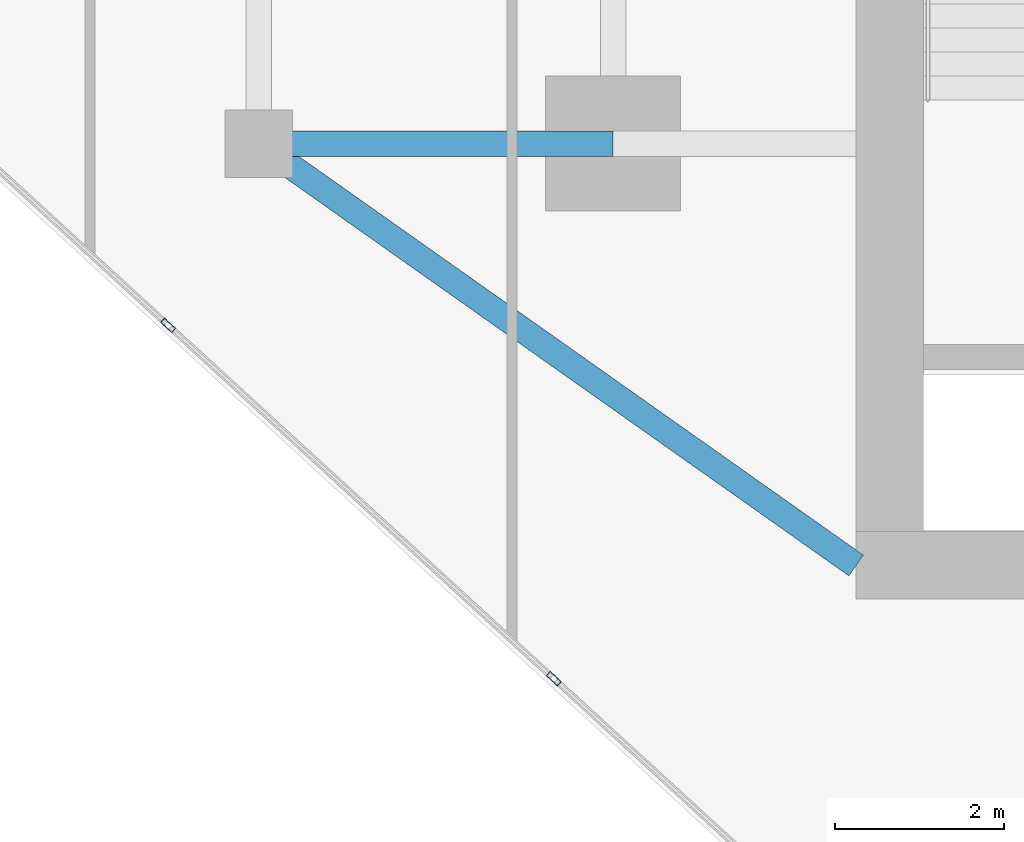
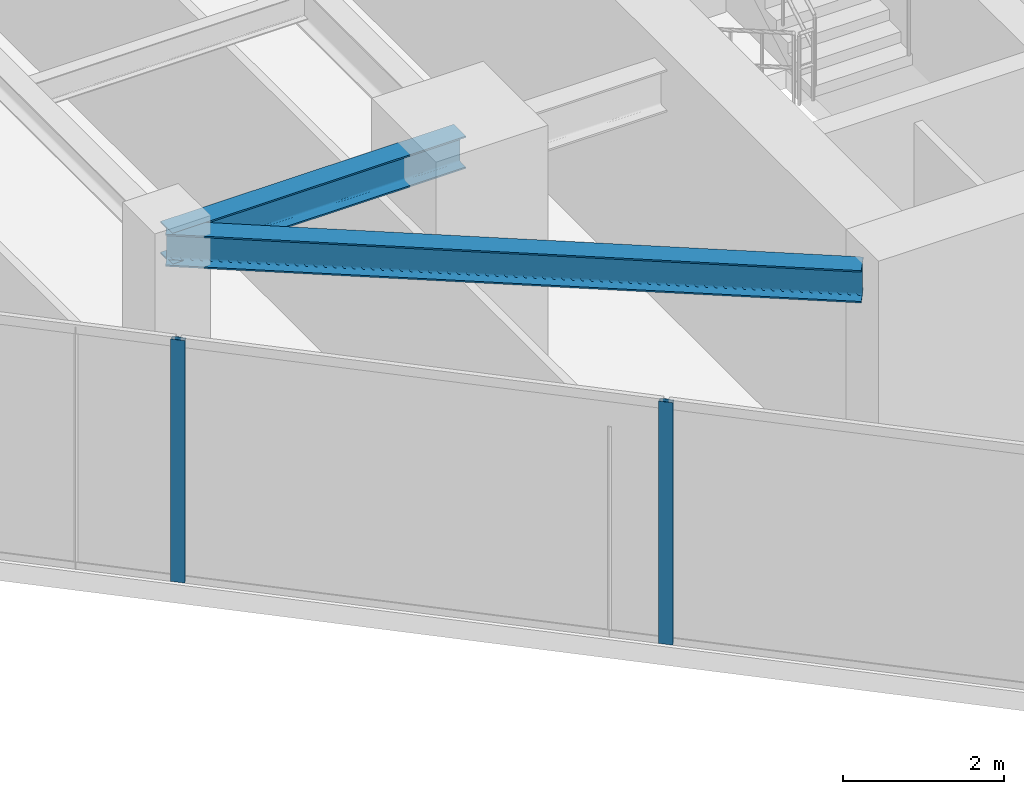
# One storey, part 2 of 26: 2 beams, 2 members, 1 element without a shape of its own.
"""IFC4 building model written with IfcOpenShell, lengths in metres."""

from ifc_helpers import new_model, si_unit, direction, frame, origin, origin_2d, place, context, subcontext, project, spatial, hollow_rectangle, i_section, extrude, source, transform, mapped, material, material_profile, profile_set, type_object, type_shapes, element, aggregate, save


model = new_model("IFC4")

# Units and contexts
model_context = context("Model", 3, precision=1e-05, world=origin(), true_north=direction((0.0, 1.0)))
body_context = subcontext(model_context, "Body", "Model", "MODEL_VIEW")
ifc_project = project(units=[si_unit("LENGTHUNIT", "METRE"), si_unit("AREAUNIT", "SQUARE_METRE"), si_unit("VOLUMEUNIT", "CUBIC_METRE"), si_unit("PLANEANGLEUNIT", "RADIAN"), si_unit("MASSUNIT", "GRAM", prefix="KILO")], contexts=[model_context])

# Site, building, storey
site_placement = place(None, origin())
site = spatial("IfcSite", under=ifc_project, at=site_placement, CompositionType="ELEMENT")
building_placement = place(site_placement, origin())
building = spatial("IfcBuilding", under=site, at=building_placement, Name="Krantzveldt Concourse Tower", CompositionType="ELEMENT")
storey_placement = place(building_placement, frame((0.0, 0.0, 219.14990234375)))
storey = spatial("IfcBuildingStorey", under=building, at=storey_placement, Name="L53", CompositionType="ELEMENT", Elevation=219.14990234375)

# Beams
ifc_material_1 = material(Name="Steel S355JR", Category="steel")
ifc_material_profile_1 = material_profile(ifc_material_1, i_section(OverallWidth=0.300048828125, OverallDepth=0.489990234375, WebThickness=0.011962890625, FlangeThickness=0.02294921875, FilletRadius=0.027099609375, at=origin_2d()), Name="Steel S355JR", Category="steel")
ifc_profile_set_1 = profile_set([ifc_material_profile_1], Name="Steel S355JR - HEA 500")
beam_type = type_object("IfcBeamType", Name="BM-B-HEA500", PredefinedType="BEAM", material=ifc_profile_set_1)
shared_shape_1 = source(origin(), body_context, "Body", "SweptSolid", [
    extrude(i_section(OverallWidth=0.300048828125, OverallDepth=0.489990234375, WebThickness=0.011962890625, FlangeThickness=0.02294921875, FilletRadius=0.027099609375, at=origin_2d()), origin(), (0.0, 0.0, 1.0), 4.199951171875),
])
beam_1_placement = place(storey_placement, frame((21.0, 15.89990234375, 3.425048828125), z_axis=(1.0, 0.0, 0.0), x_axis=(0.0, 1.0, 0.0)))
element("IfcBeam", 1, at=beam_1_placement, inside=storey, type_object=beam_type, Name="L53 Tower Girder BR-RL1", PredefinedType="BEAM", context=body_context, shape_type="MappedRepresentation", body=[
    mapped(shared_shape_1, transform((0.0, 0.0, 0.0), x_axis=(1.0, 0.0, 0.0), y_axis=(0.0, 1.0, 0.0), z_axis=(0.0, 0.0, 1.0), scale=1.0)),
])
shared_shape_2 = source(origin(), body_context, "Body", "SweptSolid", [
    extrude(i_section(OverallWidth=0.300048828125, OverallDepth=0.489990234375, WebThickness=0.011962890625, FlangeThickness=0.02294921875, FilletRadius=0.027099609375, at=origin_2d()), origin(), (0.0, 0.0, 1.0), 8.667724609375),
])
type_shapes(beam_type, [shared_shape_1, shared_shape_2])
beam_2_placement = place(storey_placement, frame((21.0, 15.89990234375, 3.425048828125), z_axis=(0.81684294656, -0.576860122261, 0.0), x_axis=(0.576860122261, 0.81684294656, 0.0)))
element("IfcBeam", 2, at=beam_2_placement, inside=storey, type_object=beam_type, Name="L53 Tower Girder BR-CSW", PredefinedType="BEAM", context=body_context, shape_type="MappedRepresentation", body=[
    mapped(shared_shape_2, transform((0.0, 0.0, 0.0), x_axis=(1.0, 0.0, 0.0), y_axis=(0.0, 1.0, 0.0), z_axis=(0.0, 0.0, 1.0), scale=1.0)),
])

# Curtain wall, members
ifc_material_2 = material(Name="Anodised aluminium 6063-T6", Category="aluminium")
curtain_wall_type = type_object("IfcCurtainWallType", Name="CW3", PredefinedType="USERDEFINED", material=ifc_material_2)
curtain_wall_placement = place(storey_placement, origin())
curtain_wall = element("IfcCurtainWall", 3, at=curtain_wall_placement, inside=storey, type_object=curtain_wall_type, Name="CW-L53-F04", ObjectType="UNITISED CURTAIN WALL", PredefinedType="USERDEFINED")
ifc_material_profile_2 = material_profile(ifc_material_2, hollow_rectangle(XDim=0.070068359375, YDim=0.179931640625, WallThickness=0.0048828125, at=origin_2d()), Name="Anodised aluminium 6063-T6", Category="aluminium")
ifc_profile_set_2 = profile_set([ifc_material_profile_2], Name="Anodised aluminium 6063-T6 - ALU-MULL 180x70x5")
member_type = type_object("IfcMemberType", Name="CW-MUL-180", PredefinedType="MULLION", material=ifc_profile_set_2)
shared_shape_3 = source(origin(), body_context, "Body", "SweptSolid", [
    extrude(hollow_rectangle(XDim=0.070068359375, YDim=0.179931640625, WallThickness=0.0048828125, at=origin_2d()), origin(), (0.0, 0.0, 1.0), 3.670166015625),
])
type_shapes(member_type, [shared_shape_3])
member_1_placement = place(storey_placement, frame((19.925537109375, 13.74658203125, 0.0), z_axis=(0.0, 0.0, 1.0), x_axis=(0.675590053651, 0.737277477893, 0.0)))
member_1 = element("IfcMember", 4, at=member_1_placement, type_object=member_type, Name="CW-Z34 mullion 3", PredefinedType="MULLION", context=body_context, shape_type="MappedRepresentation", body=[
    mapped(shared_shape_3, transform((0.0, 0.0, 0.0), x_axis=(1.0, 0.0, 0.0), y_axis=(0.0, 1.0, 0.0), z_axis=(0.0, 0.0, 1.0), scale=1.0)),
])
member_2_placement = place(storey_placement, frame((24.496826171875, 9.557861328125, 0.0), z_axis=(0.0, 0.0, 1.0), x_axis=(0.675590053651, 0.737277477893, 0.0)))
member_2 = element("IfcMember", 5, at=member_2_placement, type_object=member_type, Name="CW-Z34 mullion 4", PredefinedType="MULLION", context=body_context, shape_type="MappedRepresentation", body=[
    mapped(shared_shape_3, transform((0.0, 0.0, 0.0), x_axis=(1.0, 0.0, 0.0), y_axis=(0.0, 1.0, 0.0), z_axis=(0.0, 0.0, 1.0), scale=1.0)),
])
aggregate(curtain_wall, [member_1, member_2])

save(model, "model.ifc")
